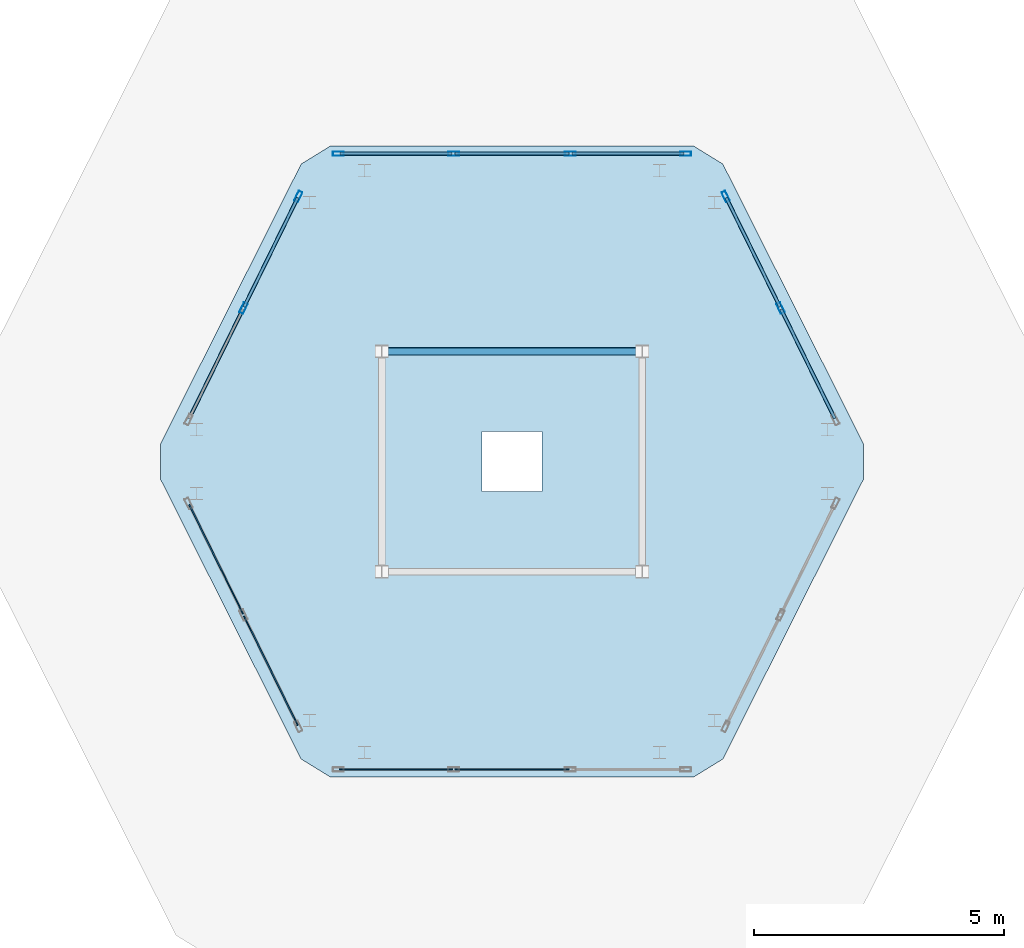
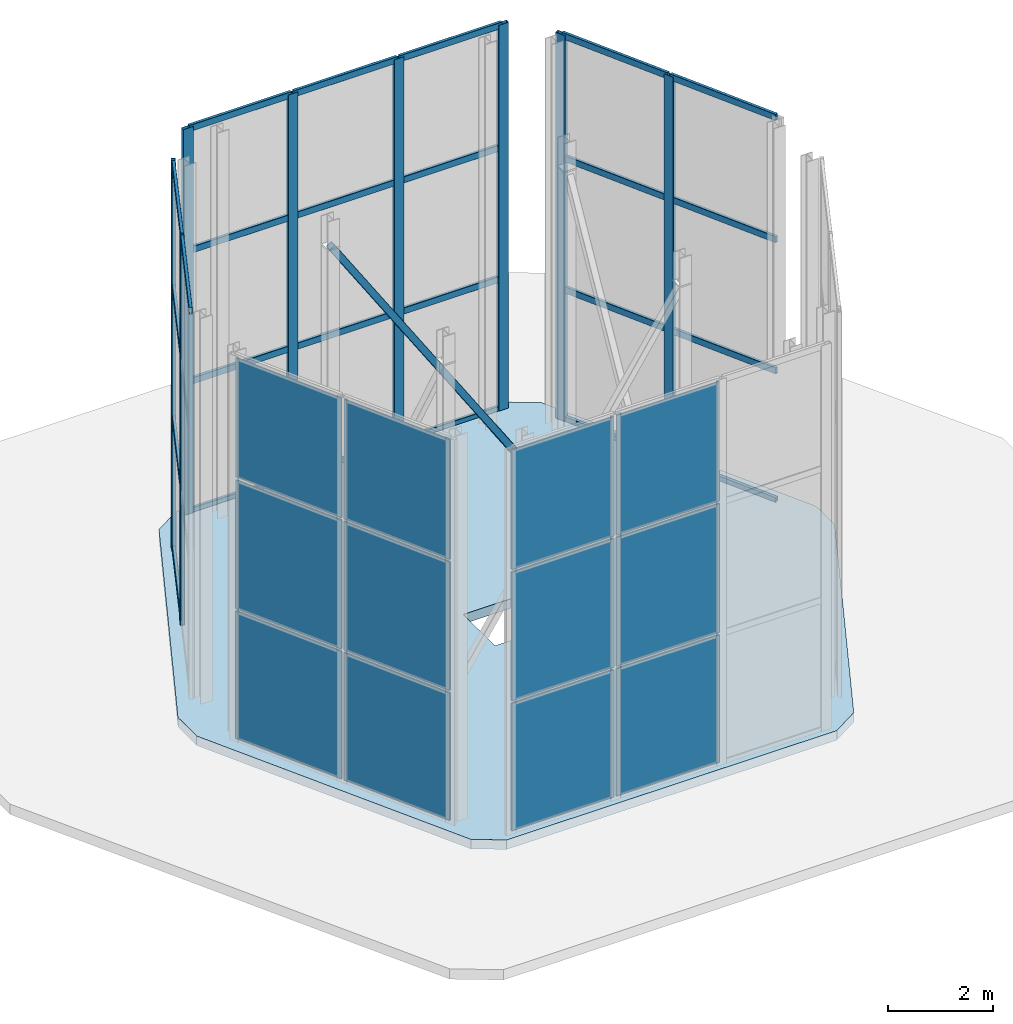
# One storey, part 2 of 3: 34 members, 12 plates, 1 slab, 5 elements without a shape of their own.
"""IFC4 building model written with IfcOpenShell, lengths in metres."""

from ifc_helpers import new_model, si_unit, direction, frame, origin, origin_2d, place, context, subcontext, project, spatial, polyline, rectangle, hollow_rectangle, outline, extrude, material, layer, layer_set, material_profile, profile_set, type_object, element, aggregate, save


model = new_model("IFC4")

# Units and contexts
model_context = context("Model", 3, precision=1e-05, world=origin(), true_north=direction((0.0, 1.0)))
body_context = subcontext(model_context, "Body", "Model", "MODEL_VIEW")
ifc_project = project(units=[si_unit("LENGTHUNIT", "METRE"), si_unit("AREAUNIT", "SQUARE_METRE"), si_unit("VOLUMEUNIT", "CUBIC_METRE"), si_unit("PLANEANGLEUNIT", "RADIAN"), si_unit("MASSUNIT", "GRAM", prefix="KILO")], contexts=[model_context])

# Site, building, storey
site_placement = place(None, origin())
site = spatial("IfcSite", under=ifc_project, at=site_placement, CompositionType="ELEMENT")
building_placement = place(site_placement, origin())
building = spatial("IfcBuilding", under=site, at=building_placement, Name="Cinnabar Lancet Tower", CompositionType="ELEMENT")
storey_placement = place(building_placement, frame((0.0, 0.0, 333.02490234375)))
storey = spatial("IfcBuildingStorey", under=building, at=storey_placement, Name="L83", CompositionType="ELEMENT", Elevation=333.02490234375)

# Curtain wall, members
ifc_material_1 = material(Name="Thermally broken bronze-anodized aluminium and low-E glass", Category="aluminium")
ifc_layer_1 = layer(ifc_material_1, 0.179931640625)
ifc_layer_set_1 = layer_set([ifc_layer_1], Name="Thermally broken bronze-anodized aluminium and low-E glass")
curtain_wall_type = type_object("IfcCurtainWallType", Name="ENV-CW-SYS-06", PredefinedType="NOTDEFINED", material=ifc_layer_set_1)
curtain_wall_1_placement = place(storey_placement, origin())
curtain_wall_1 = element("IfcCurtainWall", 1, at=curtain_wall_1_placement, inside=storey, type_object=curtain_wall_type, Name="L83 Faceted Lancet Crown Curtain Wall 7", PredefinedType="NOTDEFINED")
ifc_material_2 = material(Name="Anodized architectural aluminium 6063-T6", Category="aluminium")
ifc_material_profile_1 = material_profile(ifc_material_2, hollow_rectangle(XDim=0.0849609375, YDim=0.219970703125, WallThickness=0.0048828125, InnerFilletRadius=0.00244140625, OuterFilletRadius=0.007568359375, at=origin_2d()), Name="CW-MUL 220x85x5")
ifc_profile_set_1 = profile_set([ifc_material_profile_1], Name="Anodized architectural aluminium 6063-T6")
member_type_1 = type_object("IfcMemberType", Name="ENV-CW-MUL-220", PredefinedType="MULLION", material=ifc_profile_set_1)
member_1_placement = place(storey_placement, frame((37.763916015625, 28.864990234375, 0.0), z_axis=(0.0, 0.0, 1.0), x_axis=(-0.897510109675, -0.440993880945, 0.0)))
member_1 = element("IfcMember", 2, at=member_1_placement, type_object=member_type_1, Name="CW-06 mullion 2", PredefinedType="MULLION", context=body_context, shape_type="SweptSolid", body=[
    extrude(hollow_rectangle(XDim=0.0849609375, YDim=0.219970703125, WallThickness=0.0048828125, InnerFilletRadius=0.00244140625, OuterFilletRadius=0.007568359375, at=origin_2d()), origin(), (0.0, 0.0, 1.0), 8.97509765625),
])
member_2_placement = place(storey_placement, frame((36.669189453125, 31.093017578125, 0.0), z_axis=(0.0, 0.0, 1.0), x_axis=(-0.897510109675, -0.440993880945, 0.0)))
member_2 = element("IfcMember", 3, at=member_2_placement, type_object=member_type_1, Name="CW-06 mullion 3", PredefinedType="MULLION", context=body_context, shape_type="SweptSolid", body=[
    extrude(hollow_rectangle(XDim=0.0849609375, YDim=0.219970703125, WallThickness=0.0048828125, InnerFilletRadius=0.00244140625, OuterFilletRadius=0.007568359375, at=origin_2d()), origin(), (0.0, 0.0, 1.0), 8.97509765625),
])

curtain_wall_2_placement = place(storey_placement, origin())
curtain_wall_2 = element("IfcCurtainWall", 4, at=curtain_wall_2_placement, inside=storey, type_object=curtain_wall_type, Name="L83 Faceted Lancet Crown Curtain Wall 10", PredefinedType="NOTDEFINED")
member_3_placement = place(storey_placement, frame((35.866943359375, 31.949951171875, 0.0), z_axis=(0.0, 0.0, 1.0), x_axis=(0.0, -1.0, 0.0)))
member_3 = element("IfcMember", 5, at=member_3_placement, type_object=member_type_1, Name="CW-06 mullion 1", PredefinedType="MULLION", context=body_context, shape_type="SweptSolid", body=[
    extrude(hollow_rectangle(XDim=0.0849609375, YDim=0.219970703125, WallThickness=0.0048828125, InnerFilletRadius=0.00244140625, OuterFilletRadius=0.007568359375, at=origin_2d()), origin(), (0.0, 0.0, 1.0), 8.97509765625),
])
member_4_placement = place(storey_placement, frame((33.565673828125, 31.949951171875, 0.0), z_axis=(0.0, 0.0, 1.0), x_axis=(0.0, -1.0, 0.0)))
member_4 = element("IfcMember", 6, at=member_4_placement, type_object=member_type_1, Name="CW-06 mullion 2", PredefinedType="MULLION", context=body_context, shape_type="SweptSolid", body=[
    extrude(hollow_rectangle(XDim=0.0849609375, YDim=0.219970703125, WallThickness=0.0048828125, InnerFilletRadius=0.00244140625, OuterFilletRadius=0.007568359375, at=origin_2d()), origin(), (0.0, 0.0, 1.0), 8.97509765625),
])
member_5_placement = place(storey_placement, frame((31.234375, 31.949951171875, 0.0), z_axis=(0.0, 0.0, 1.0), x_axis=(0.0, -1.0, 0.0)))
member_5 = element("IfcMember", 7, at=member_5_placement, type_object=member_type_1, Name="CW-06 mullion 3", PredefinedType="MULLION", context=body_context, shape_type="SweptSolid", body=[
    extrude(hollow_rectangle(XDim=0.0849609375, YDim=0.219970703125, WallThickness=0.0048828125, InnerFilletRadius=0.00244140625, OuterFilletRadius=0.007568359375, at=origin_2d()), origin(), (0.0, 0.0, 1.0), 8.97509765625),
])
member_6_placement = place(storey_placement, frame((28.93310546875, 31.949951171875, 0.0), z_axis=(0.0, 0.0, 1.0), x_axis=(0.0, -1.0, 0.0)))
member_6 = element("IfcMember", 8, at=member_6_placement, type_object=member_type_1, Name="CW-06 mullion 4", PredefinedType="MULLION", context=body_context, shape_type="SweptSolid", body=[
    extrude(hollow_rectangle(XDim=0.0849609375, YDim=0.219970703125, WallThickness=0.0048828125, InnerFilletRadius=0.00244140625, OuterFilletRadius=0.007568359375, at=origin_2d()), origin(), (0.0, 0.0, 1.0), 8.97509765625),
])

curtain_wall_3_placement = place(storey_placement, origin())
curtain_wall_3 = element("IfcCurtainWall", 9, at=curtain_wall_3_placement, inside=storey, type_object=curtain_wall_type, Name="L83 Faceted Lancet Crown Curtain Wall 13", PredefinedType="NOTDEFINED")
member_7_placement = place(storey_placement, frame((28.130859375, 31.093017578125, 0.0), z_axis=(0.0, 0.0, 1.0), x_axis=(0.897510109675, -0.440993880945, 0.0)))
member_7 = element("IfcMember", 10, at=member_7_placement, type_object=member_type_1, Name="CW-06 mullion 1", PredefinedType="MULLION", context=body_context, shape_type="SweptSolid", body=[
    extrude(hollow_rectangle(XDim=0.0849609375, YDim=0.219970703125, WallThickness=0.0048828125, InnerFilletRadius=0.00244140625, OuterFilletRadius=0.007568359375, at=origin_2d()), origin(), (0.0, 0.0, 1.0), 8.97509765625),
])
member_8_placement = place(storey_placement, frame((27.035888671875, 28.864990234375, 0.0), z_axis=(0.0, 0.0, 1.0), x_axis=(0.897510109675, -0.440993880945, 0.0)))
member_8 = element("IfcMember", 11, at=member_8_placement, type_object=member_type_1, Name="CW-06 mullion 2", PredefinedType="MULLION", context=body_context, shape_type="SweptSolid", body=[
    extrude(hollow_rectangle(XDim=0.0849609375, YDim=0.219970703125, WallThickness=0.0048828125, InnerFilletRadius=0.00244140625, OuterFilletRadius=0.007568359375, at=origin_2d()), origin(), (0.0, 0.0, 1.0), 8.97509765625),
])

# Member
ifc_material_3 = material(Name="Anodized architectural aluminium 6063-T6", Category="aluminium")
ifc_material_profile_2 = material_profile(ifc_material_3, hollow_rectangle(XDim=0.06494140625, YDim=0.14990234375, WallThickness=0.00390625, InnerFilletRadius=0.001953125, OuterFilletRadius=0.006103515625, at=origin_2d()), Name="CW-TRN 150x65x4")
ifc_profile_set_2 = profile_set([ifc_material_profile_2], Name="Anodized architectural aluminium 6063-T6")
member_type_2 = type_object("IfcMemberType", Name="ENV-CW-TRN-160", PredefinedType="USERDEFINED", material=ifc_profile_set_2)
member_9_placement = place(storey_placement, frame((38.845458984375, 26.663818359375, 0.030029296875), z_axis=(-0.440913850205, 0.897549428554, 0.0), x_axis=(-0.897549428554, -0.440913850205, 0.0)))
member_9 = element("IfcMember", 12, at=member_9_placement, type_object=member_type_2, Name="CW-06 transom 1.1", ObjectType="TRANSOM", PredefinedType="USERDEFINED", context=body_context, shape_type="SweptSolid", body=[
    extrude(hollow_rectangle(XDim=0.06494140625, YDim=0.14990234375, WallThickness=0.00390625, InnerFilletRadius=0.001953125, OuterFilletRadius=0.006103515625, at=origin_2d()), origin(), (0.0, 0.0, 1.0), 2.422607421875),
])

member_10_placement = place(storey_placement, frame((38.845458984375, 26.663818359375, 3.052001953125), z_axis=(-0.440913850205, 0.897549428554, 0.0), x_axis=(-0.897549428554, -0.440913850205, 0.0)))
member_10 = element("IfcMember", 13, at=member_10_placement, type_object=member_type_2, Name="CW-06 transom 1.2", ObjectType="TRANSOM", PredefinedType="USERDEFINED", context=body_context, shape_type="SweptSolid", body=[
    extrude(hollow_rectangle(XDim=0.06494140625, YDim=0.14990234375, WallThickness=0.00390625, InnerFilletRadius=0.001953125, OuterFilletRadius=0.006103515625, at=origin_2d()), origin(), (0.0, 0.0, 1.0), 2.422607421875),
])

member_11_placement = place(storey_placement, frame((38.845458984375, 26.663818359375, 6.10302734375), z_axis=(-0.440913850205, 0.897549428554, 0.0), x_axis=(-0.897549428554, -0.440913850205, 0.0)))
member_11 = element("IfcMember", 14, at=member_11_placement, type_object=member_type_2, Name="CW-06 transom 1.3", ObjectType="TRANSOM", PredefinedType="USERDEFINED", context=body_context, shape_type="SweptSolid", body=[
    extrude(hollow_rectangle(XDim=0.06494140625, YDim=0.14990234375, WallThickness=0.00390625, InnerFilletRadius=0.001953125, OuterFilletRadius=0.006103515625, at=origin_2d()), origin(), (0.0, 0.0, 1.0), 2.422607421875),
])

member_12_placement = place(storey_placement, frame((38.845458984375, 26.663818359375, 8.945068359375), z_axis=(-0.440913850205, 0.897549428554, 0.0), x_axis=(-0.897549428554, -0.440913850205, 0.0)))
member_12 = element("IfcMember", 15, at=member_12_placement, type_object=member_type_2, Name="CW-06 transom 1.4", ObjectType="TRANSOM", PredefinedType="USERDEFINED", context=body_context, shape_type="SweptSolid", body=[
    extrude(hollow_rectangle(XDim=0.06494140625, YDim=0.14990234375, WallThickness=0.00390625, InnerFilletRadius=0.001953125, OuterFilletRadius=0.006103515625, at=origin_2d()), origin(), (0.0, 0.0, 1.0), 2.422607421875),
])

member_13_placement = place(storey_placement, frame((37.750732421875, 28.891845703125, 0.030029296875), z_axis=(-0.440995032904, 0.897509543656, 0.0), x_axis=(-0.897509543656, -0.440995032904, 0.0)))
member_13 = element("IfcMember", 16, at=member_13_placement, type_object=member_type_2, Name="CW-06 transom 2.1", ObjectType="TRANSOM", PredefinedType="USERDEFINED", context=body_context, shape_type="SweptSolid", body=[
    extrude(hollow_rectangle(XDim=0.06494140625, YDim=0.14990234375, WallThickness=0.00390625, InnerFilletRadius=0.001953125, OuterFilletRadius=0.006103515625, at=origin_2d()), origin(), (0.0, 0.0, 1.0), 2.422607421875),
])

member_14_placement = place(storey_placement, frame((37.750732421875, 28.891845703125, 3.052001953125), z_axis=(-0.440995032904, 0.897509543656, 0.0), x_axis=(-0.897509543656, -0.440995032904, 0.0)))
member_14 = element("IfcMember", 17, at=member_14_placement, type_object=member_type_2, Name="CW-06 transom 2.2", ObjectType="TRANSOM", PredefinedType="USERDEFINED", context=body_context, shape_type="SweptSolid", body=[
    extrude(hollow_rectangle(XDim=0.06494140625, YDim=0.14990234375, WallThickness=0.00390625, InnerFilletRadius=0.001953125, OuterFilletRadius=0.006103515625, at=origin_2d()), origin(), (0.0, 0.0, 1.0), 2.422607421875),
])

member_15_placement = place(storey_placement, frame((37.750732421875, 28.891845703125, 6.10302734375), z_axis=(-0.440995032904, 0.897509543656, 0.0), x_axis=(-0.897509543656, -0.440995032904, 0.0)))
member_15 = element("IfcMember", 18, at=member_15_placement, type_object=member_type_2, Name="CW-06 transom 2.3", ObjectType="TRANSOM", PredefinedType="USERDEFINED", context=body_context, shape_type="SweptSolid", body=[
    extrude(hollow_rectangle(XDim=0.06494140625, YDim=0.14990234375, WallThickness=0.00390625, InnerFilletRadius=0.001953125, OuterFilletRadius=0.006103515625, at=origin_2d()), origin(), (0.0, 0.0, 1.0), 2.422607421875),
])

member_16_placement = place(storey_placement, frame((37.750732421875, 28.891845703125, 8.945068359375), z_axis=(-0.440995032904, 0.897509543656, 0.0), x_axis=(-0.897509543656, -0.440995032904, 0.0)))
member_16 = element("IfcMember", 19, at=member_16_placement, type_object=member_type_2, Name="CW-06 transom 2.4", ObjectType="TRANSOM", PredefinedType="USERDEFINED", context=body_context, shape_type="SweptSolid", body=[
    extrude(hollow_rectangle(XDim=0.06494140625, YDim=0.14990234375, WallThickness=0.00390625, InnerFilletRadius=0.001953125, OuterFilletRadius=0.006103515625, at=origin_2d()), origin(), (0.0, 0.0, 1.0), 2.422607421875),
])

aggregate(curtain_wall_1, [member_1, member_2, member_9, member_10, member_11, member_12, member_13, member_14, member_15, member_16])

member_17_placement = place(storey_placement, frame((35.8369140625, 31.949951171875, 0.030029296875), z_axis=(-1.0, 0.0, 0.0), x_axis=(0.0, -1.0, 0.0)))
member_17 = element("IfcMember", 20, at=member_17_placement, type_object=member_type_2, Name="CW-06 transom 1.1", ObjectType="TRANSOM", PredefinedType="USERDEFINED", context=body_context, shape_type="SweptSolid", body=[
    extrude(hollow_rectangle(XDim=0.06494140625, YDim=0.14990234375, WallThickness=0.00390625, InnerFilletRadius=0.001953125, OuterFilletRadius=0.006103515625, at=origin_2d()), origin(), (0.0, 0.0, 1.0), 2.2412109375),
])

member_18_placement = place(storey_placement, frame((35.8369140625, 31.949951171875, 3.052001953125), z_axis=(-1.0, 0.0, 0.0), x_axis=(0.0, -1.0, 0.0)))
member_18 = element("IfcMember", 21, at=member_18_placement, type_object=member_type_2, Name="CW-06 transom 1.2", ObjectType="TRANSOM", PredefinedType="USERDEFINED", context=body_context, shape_type="SweptSolid", body=[
    extrude(hollow_rectangle(XDim=0.06494140625, YDim=0.14990234375, WallThickness=0.00390625, InnerFilletRadius=0.001953125, OuterFilletRadius=0.006103515625, at=origin_2d()), origin(), (0.0, 0.0, 1.0), 2.2412109375),
])

member_19_placement = place(storey_placement, frame((35.8369140625, 31.949951171875, 6.10302734375), z_axis=(-1.0, 0.0, 0.0), x_axis=(0.0, -1.0, 0.0)))
member_19 = element("IfcMember", 22, at=member_19_placement, type_object=member_type_2, Name="CW-06 transom 1.3", ObjectType="TRANSOM", PredefinedType="USERDEFINED", context=body_context, shape_type="SweptSolid", body=[
    extrude(hollow_rectangle(XDim=0.06494140625, YDim=0.14990234375, WallThickness=0.00390625, InnerFilletRadius=0.001953125, OuterFilletRadius=0.006103515625, at=origin_2d()), origin(), (0.0, 0.0, 1.0), 2.2412109375),
])

member_20_placement = place(storey_placement, frame((35.8369140625, 31.949951171875, 8.945068359375), z_axis=(-1.0, 0.0, 0.0), x_axis=(0.0, -1.0, 0.0)))
member_20 = element("IfcMember", 23, at=member_20_placement, type_object=member_type_2, Name="CW-06 transom 1.4", ObjectType="TRANSOM", PredefinedType="USERDEFINED", context=body_context, shape_type="SweptSolid", body=[
    extrude(hollow_rectangle(XDim=0.06494140625, YDim=0.14990234375, WallThickness=0.00390625, InnerFilletRadius=0.001953125, OuterFilletRadius=0.006103515625, at=origin_2d()), origin(), (0.0, 0.0, 1.0), 2.2412109375),
])

member_21_placement = place(storey_placement, frame((33.53564453125, 31.949951171875, 0.030029296875), z_axis=(-1.0, 0.0, 0.0), x_axis=(0.0, -1.0, 0.0)))
member_21 = element("IfcMember", 24, at=member_21_placement, type_object=member_type_2, Name="CW-06 transom 2.1", ObjectType="TRANSOM", PredefinedType="USERDEFINED", context=body_context, shape_type="SweptSolid", body=[
    extrude(hollow_rectangle(XDim=0.06494140625, YDim=0.14990234375, WallThickness=0.00390625, InnerFilletRadius=0.001953125, OuterFilletRadius=0.006103515625, at=origin_2d()), origin(), (0.0, 0.0, 1.0), 2.271240234375),
])

member_22_placement = place(storey_placement, frame((33.53564453125, 31.949951171875, 3.052001953125), z_axis=(-1.0, 0.0, 0.0), x_axis=(0.0, -1.0, 0.0)))
member_22 = element("IfcMember", 25, at=member_22_placement, type_object=member_type_2, Name="CW-06 transom 2.2", ObjectType="TRANSOM", PredefinedType="USERDEFINED", context=body_context, shape_type="SweptSolid", body=[
    extrude(hollow_rectangle(XDim=0.06494140625, YDim=0.14990234375, WallThickness=0.00390625, InnerFilletRadius=0.001953125, OuterFilletRadius=0.006103515625, at=origin_2d()), origin(), (0.0, 0.0, 1.0), 2.271240234375),
])

member_23_placement = place(storey_placement, frame((33.53564453125, 31.949951171875, 6.10302734375), z_axis=(-1.0, 0.0, 0.0), x_axis=(0.0, -1.0, 0.0)))
member_23 = element("IfcMember", 26, at=member_23_placement, type_object=member_type_2, Name="CW-06 transom 2.3", ObjectType="TRANSOM", PredefinedType="USERDEFINED", context=body_context, shape_type="SweptSolid", body=[
    extrude(hollow_rectangle(XDim=0.06494140625, YDim=0.14990234375, WallThickness=0.00390625, InnerFilletRadius=0.001953125, OuterFilletRadius=0.006103515625, at=origin_2d()), origin(), (0.0, 0.0, 1.0), 2.271240234375),
])

member_24_placement = place(storey_placement, frame((33.53564453125, 31.949951171875, 8.945068359375), z_axis=(-1.0, 0.0, 0.0), x_axis=(0.0, -1.0, 0.0)))
member_24 = element("IfcMember", 27, at=member_24_placement, type_object=member_type_2, Name="CW-06 transom 2.4", ObjectType="TRANSOM", PredefinedType="USERDEFINED", context=body_context, shape_type="SweptSolid", body=[
    extrude(hollow_rectangle(XDim=0.06494140625, YDim=0.14990234375, WallThickness=0.00390625, InnerFilletRadius=0.001953125, OuterFilletRadius=0.006103515625, at=origin_2d()), origin(), (0.0, 0.0, 1.0), 2.271240234375),
])

member_25_placement = place(storey_placement, frame((31.204345703125, 31.949951171875, 0.030029296875), z_axis=(-1.0, 0.0, 0.0), x_axis=(0.0, -1.0, 0.0)))
member_25 = element("IfcMember", 28, at=member_25_placement, type_object=member_type_2, Name="CW-06 transom 3.1", ObjectType="TRANSOM", PredefinedType="USERDEFINED", context=body_context, shape_type="SweptSolid", body=[
    extrude(hollow_rectangle(XDim=0.06494140625, YDim=0.14990234375, WallThickness=0.00390625, InnerFilletRadius=0.001953125, OuterFilletRadius=0.006103515625, at=origin_2d()), origin(), (0.0, 0.0, 1.0), 2.241455078125),
])

member_26_placement = place(storey_placement, frame((31.204345703125, 31.949951171875, 3.052001953125), z_axis=(-1.0, 0.0, 0.0), x_axis=(0.0, -1.0, 0.0)))
member_26 = element("IfcMember", 29, at=member_26_placement, type_object=member_type_2, Name="CW-06 transom 3.2", ObjectType="TRANSOM", PredefinedType="USERDEFINED", context=body_context, shape_type="SweptSolid", body=[
    extrude(hollow_rectangle(XDim=0.06494140625, YDim=0.14990234375, WallThickness=0.00390625, InnerFilletRadius=0.001953125, OuterFilletRadius=0.006103515625, at=origin_2d()), origin(), (0.0, 0.0, 1.0), 2.241455078125),
])

member_27_placement = place(storey_placement, frame((31.204345703125, 31.949951171875, 6.10302734375), z_axis=(-1.0, 0.0, 0.0), x_axis=(0.0, -1.0, 0.0)))
member_27 = element("IfcMember", 30, at=member_27_placement, type_object=member_type_2, Name="CW-06 transom 3.3", ObjectType="TRANSOM", PredefinedType="USERDEFINED", context=body_context, shape_type="SweptSolid", body=[
    extrude(hollow_rectangle(XDim=0.06494140625, YDim=0.14990234375, WallThickness=0.00390625, InnerFilletRadius=0.001953125, OuterFilletRadius=0.006103515625, at=origin_2d()), origin(), (0.0, 0.0, 1.0), 2.241455078125),
])

member_28_placement = place(storey_placement, frame((31.204345703125, 31.949951171875, 8.945068359375), z_axis=(-1.0, 0.0, 0.0), x_axis=(0.0, -1.0, 0.0)))
member_28 = element("IfcMember", 31, at=member_28_placement, type_object=member_type_2, Name="CW-06 transom 3.4", ObjectType="TRANSOM", PredefinedType="USERDEFINED", context=body_context, shape_type="SweptSolid", body=[
    extrude(hollow_rectangle(XDim=0.06494140625, YDim=0.14990234375, WallThickness=0.00390625, InnerFilletRadius=0.001953125, OuterFilletRadius=0.006103515625, at=origin_2d()), origin(), (0.0, 0.0, 1.0), 2.241455078125),
])

aggregate(curtain_wall_2, [member_3, member_4, member_5, member_6, member_17, member_18, member_19, member_20, member_21, member_22, member_23, member_24, member_25, member_26, member_27, member_28])

member_29_placement = place(storey_placement, frame((28.117431640625, 31.066162109375, 0.030029296875), z_axis=(-0.440913850205, -0.897549428554, 0.0), x_axis=(0.897549428554, -0.440913850205, 0.0)))
member_29 = element("IfcMember", 32, at=member_29_placement, type_object=member_type_2, Name="CW-06 transom 1.1", ObjectType="TRANSOM", PredefinedType="USERDEFINED", context=body_context, shape_type="SweptSolid", body=[
    extrude(hollow_rectangle(XDim=0.06494140625, YDim=0.14990234375, WallThickness=0.00390625, InnerFilletRadius=0.001953125, OuterFilletRadius=0.006103515625, at=origin_2d()), origin(), (0.0, 0.0, 1.0), 2.422607421875),
])

member_30_placement = place(storey_placement, frame((28.117431640625, 31.066162109375, 3.052001953125), z_axis=(-0.440913850205, -0.897549428554, 0.0), x_axis=(0.897549428554, -0.440913850205, 0.0)))
member_30 = element("IfcMember", 33, at=member_30_placement, type_object=member_type_2, Name="CW-06 transom 1.2", ObjectType="TRANSOM", PredefinedType="USERDEFINED", context=body_context, shape_type="SweptSolid", body=[
    extrude(hollow_rectangle(XDim=0.06494140625, YDim=0.14990234375, WallThickness=0.00390625, InnerFilletRadius=0.001953125, OuterFilletRadius=0.006103515625, at=origin_2d()), origin(), (0.0, 0.0, 1.0), 2.422607421875),
])

member_31_placement = place(storey_placement, frame((28.117431640625, 31.066162109375, 6.10302734375), z_axis=(-0.440913850205, -0.897549428554, 0.0), x_axis=(0.897549428554, -0.440913850205, 0.0)))
member_31 = element("IfcMember", 34, at=member_31_placement, type_object=member_type_2, Name="CW-06 transom 1.3", ObjectType="TRANSOM", PredefinedType="USERDEFINED", context=body_context, shape_type="SweptSolid", body=[
    extrude(hollow_rectangle(XDim=0.06494140625, YDim=0.14990234375, WallThickness=0.00390625, InnerFilletRadius=0.001953125, OuterFilletRadius=0.006103515625, at=origin_2d()), origin(), (0.0, 0.0, 1.0), 2.422607421875),
])

member_32_placement = place(storey_placement, frame((28.117431640625, 31.066162109375, 8.945068359375), z_axis=(-0.440913850205, -0.897549428554, 0.0), x_axis=(0.897549428554, -0.440913850205, 0.0)))
member_32 = element("IfcMember", 35, at=member_32_placement, type_object=member_type_2, Name="CW-06 transom 1.4", ObjectType="TRANSOM", PredefinedType="USERDEFINED", context=body_context, shape_type="SweptSolid", body=[
    extrude(hollow_rectangle(XDim=0.06494140625, YDim=0.14990234375, WallThickness=0.00390625, InnerFilletRadius=0.001953125, OuterFilletRadius=0.006103515625, at=origin_2d()), origin(), (0.0, 0.0, 1.0), 2.422607421875),
])

member_33_placement = place(storey_placement, frame((27.022705078125, 28.838134765625, 8.945068359375), z_axis=(-0.440995032904, -0.897509543656, 0.0), x_axis=(0.897509543656, -0.440995032904, 0.0)))
member_33 = element("IfcMember", 36, at=member_33_placement, type_object=member_type_2, Name="CW-06 transom 2.4", ObjectType="TRANSOM", PredefinedType="USERDEFINED", context=body_context, shape_type="SweptSolid", body=[
    extrude(hollow_rectangle(XDim=0.06494140625, YDim=0.14990234375, WallThickness=0.00390625, InnerFilletRadius=0.001953125, OuterFilletRadius=0.006103515625, at=origin_2d()), origin(), (0.0, 0.0, 1.0), 2.422607421875),
])

aggregate(curtain_wall_3, [member_7, member_8, member_29, member_30, member_31, member_32, member_33])

ifc_material_4 = material(Name="Structural steel S460", Category="steel")
ifc_material_profile_3 = material_profile(ifc_material_4, hollow_rectangle(XDim=0.14990234375, YDim=0.14990234375, WallThickness=0.008056640625, InnerFilletRadius=0.00390625, OuterFilletRadius=0.011962890625, at=origin_2d()), Name="SHS 150x150x8")
ifc_profile_set_3 = profile_set([ifc_material_profile_3], Name="Structural steel S460")
member_type_3 = type_object("IfcMemberType", Name="STR-MEM-CRN-SHS150", PredefinedType="BRACE", material=ifc_profile_set_3)
member_34_placement = place(storey_placement, frame((35.0, 28.0, 0.35009765625), z_axis=(-0.547142770571, 0.0, 0.837039299323), x_axis=(0.0, -1.0, 0.0)))
element("IfcMember", 37, at=member_34_placement, inside=storey, type_object=member_type_3, Name="L83 Crown Lancet Core Brace 3", PredefinedType="BRACE", context=body_context, shape_type="SweptSolid", body=[
    extrude(hollow_rectangle(XDim=0.14990234375, YDim=0.14990234375, WallThickness=0.008056640625, InnerFilletRadius=0.00390625, OuterFilletRadius=0.011962890625, at=origin_2d()), origin(), (0.0, 0.0, 1.0), 9.50390625),
])

# Curtain wall, plates
curtain_wall_4_placement = place(storey_placement, origin())
curtain_wall_4 = element("IfcCurtainWall", 38, at=curtain_wall_4_placement, inside=storey, type_object=curtain_wall_type, Name="L83 Faceted Lancet Crown Curtain Wall 2", PredefinedType="NOTDEFINED")
ifc_material_5 = material(Name="Acoustic solar-control low-E laminated glass unit", Category="glass")
ifc_layer_2 = layer(ifc_material_5, 0.035888671875)
ifc_layer_set_2 = layer_set([ifc_layer_2], Name="Acoustic solar-control low-E laminated glass unit")
plate_type = type_object("IfcPlateType", Name="ENV-CW-PNL-36", PredefinedType="CURTAIN_PANEL", material=ifc_layer_set_2)
plate_1_placement = place(storey_placement, frame((30.083740234375, 19.64990234375, 0.06005859375), z_axis=(0.0, 0.0, 1.0), x_axis=(1.0, 0.0, 0.0)))
plate_1 = element("IfcPlate", 39, at=plate_1_placement, type_object=plate_type, Name="CW-06 panel 1.1", PredefinedType="CURTAIN_PANEL", context=body_context, shape_type="SweptSolid", body=[
    extrude(rectangle(XDim=2.241455078125, YDim=0.028076171875, at=origin_2d()), origin(), (0.0, 0.0, 1.0), 2.9619140625),
])
plate_2_placement = place(storey_placement, frame((30.083740234375, 19.64990234375, 3.08203125), z_axis=(0.0, 0.0, 1.0), x_axis=(1.0, 0.0, 0.0)))
plate_2 = element("IfcPlate", 40, at=plate_2_placement, type_object=plate_type, Name="CW-06 panel 1.2", PredefinedType="CURTAIN_PANEL", context=body_context, shape_type="SweptSolid", body=[
    extrude(rectangle(XDim=2.241455078125, YDim=0.028076171875, at=origin_2d()), origin(), (0.0, 0.0, 1.0), 2.990966796875),
])
plate_3_placement = place(storey_placement, frame((30.083740234375, 19.64990234375, 6.13330078125), z_axis=(0.0, 0.0, 1.0), x_axis=(1.0, 0.0, 0.0)))
plate_3 = element("IfcPlate", 41, at=plate_3_placement, type_object=plate_type, Name="CW-06 panel 1.3", PredefinedType="CURTAIN_PANEL", context=body_context, shape_type="SweptSolid", body=[
    extrude(rectangle(XDim=2.241455078125, YDim=0.028076171875, at=origin_2d()), origin(), (0.0, 0.0, 1.0), 2.781982421875),
])
plate_4_placement = place(storey_placement, frame((32.39990234375, 19.64990234375, 0.06005859375), z_axis=(0.0, 0.0, 1.0), x_axis=(1.0, 0.0, 0.0)))
plate_4 = element("IfcPlate", 42, at=plate_4_placement, type_object=plate_type, Name="CW-06 panel 2.1", PredefinedType="CURTAIN_PANEL", context=body_context, shape_type="SweptSolid", body=[
    extrude(rectangle(XDim=2.271240234375, YDim=0.028076171875, at=origin_2d()), origin(), (0.0, 0.0, 1.0), 2.9619140625),
])
plate_5_placement = place(storey_placement, frame((32.39990234375, 19.64990234375, 3.08203125), z_axis=(0.0, 0.0, 1.0), x_axis=(1.0, 0.0, 0.0)))
plate_5 = element("IfcPlate", 43, at=plate_5_placement, type_object=plate_type, Name="CW-06 panel 2.2", PredefinedType="CURTAIN_PANEL", context=body_context, shape_type="SweptSolid", body=[
    extrude(rectangle(XDim=2.271240234375, YDim=0.028076171875, at=origin_2d()), origin(), (0.0, 0.0, 1.0), 2.990966796875),
])
plate_6_placement = place(storey_placement, frame((32.39990234375, 19.64990234375, 6.13330078125), z_axis=(0.0, 0.0, 1.0), x_axis=(1.0, 0.0, 0.0)))
plate_6 = element("IfcPlate", 44, at=plate_6_placement, type_object=plate_type, Name="CW-06 panel 2.3", PredefinedType="CURTAIN_PANEL", context=body_context, shape_type="SweptSolid", body=[
    extrude(rectangle(XDim=2.271240234375, YDim=0.028076171875, at=origin_2d()), origin(), (0.0, 0.0, 1.0), 2.781982421875),
])
aggregate(curtain_wall_4, [plate_1, plate_2, plate_3, plate_4, plate_5, plate_6])

curtain_wall_5_placement = place(storey_placement, origin())
curtain_wall_5 = element("IfcCurtainWall", 45, at=curtain_wall_5_placement, inside=storey, type_object=curtain_wall_type, Name="L83 Faceted Lancet Crown Curtain Wall 15", PredefinedType="NOTDEFINED")
plate_7_placement = place(storey_placement, frame((26.488525390625, 23.84912109375, 0.06005859375), z_axis=(0.0, 0.0, 1.0), x_axis=(0.440993880945, -0.897510109675, 0.0)))
plate_7 = element("IfcPlate", 46, at=plate_7_placement, type_object=plate_type, Name="CW-06 panel 1.1", PredefinedType="CURTAIN_PANEL", context=body_context, shape_type="SweptSolid", body=[
    extrude(rectangle(XDim=2.422607421875, YDim=0.028076171875, at=origin_2d()), origin(), (0.0, 0.0, 1.0), 2.9619140625),
])
plate_8_placement = place(storey_placement, frame((26.488525390625, 23.84912109375, 3.08203125), z_axis=(0.0, 0.0, 1.0), x_axis=(0.440993880945, -0.897510109675, 0.0)))
plate_8 = element("IfcPlate", 47, at=plate_8_placement, type_object=plate_type, Name="CW-06 panel 1.2", PredefinedType="CURTAIN_PANEL", context=body_context, shape_type="SweptSolid", body=[
    extrude(rectangle(XDim=2.422607421875, YDim=0.028076171875, at=origin_2d()), origin(), (0.0, 0.0, 1.0), 2.990966796875),
])
plate_9_placement = place(storey_placement, frame((26.488525390625, 23.84912109375, 6.13330078125), z_axis=(0.0, 0.0, 1.0), x_axis=(0.440993880945, -0.897510109675, 0.0)))
plate_9 = element("IfcPlate", 48, at=plate_9_placement, type_object=plate_type, Name="CW-06 panel 1.3", PredefinedType="CURTAIN_PANEL", context=body_context, shape_type="SweptSolid", body=[
    extrude(rectangle(XDim=2.422607421875, YDim=0.028076171875, at=origin_2d()), origin(), (0.0, 0.0, 1.0), 2.781982421875),
])
plate_10_placement = place(storey_placement, frame((27.58349609375, 21.620849609375, 0.06005859375), z_axis=(0.0, 0.0, 1.0), x_axis=(0.440993880945, -0.897510109675, 0.0)))
plate_10 = element("IfcPlate", 49, at=plate_10_placement, type_object=plate_type, Name="CW-06 panel 2.1", PredefinedType="CURTAIN_PANEL", context=body_context, shape_type="SweptSolid", body=[
    extrude(rectangle(XDim=2.422607421875, YDim=0.028076171875, at=origin_2d()), origin(), (0.0, 0.0, 1.0), 2.9619140625),
])
plate_11_placement = place(storey_placement, frame((27.58349609375, 21.620849609375, 3.08203125), z_axis=(0.0, 0.0, 1.0), x_axis=(0.440993880945, -0.897510109675, 0.0)))
plate_11 = element("IfcPlate", 50, at=plate_11_placement, type_object=plate_type, Name="CW-06 panel 2.2", PredefinedType="CURTAIN_PANEL", context=body_context, shape_type="SweptSolid", body=[
    extrude(rectangle(XDim=2.422607421875, YDim=0.028076171875, at=origin_2d()), origin(), (0.0, 0.0, 1.0), 2.990966796875),
])
plate_12_placement = place(storey_placement, frame((27.58349609375, 21.620849609375, 6.13330078125), z_axis=(0.0, 0.0, 1.0), x_axis=(0.440993880945, -0.897510109675, 0.0)))
plate_12 = element("IfcPlate", 51, at=plate_12_placement, type_object=plate_type, Name="CW-06 panel 2.3", PredefinedType="CURTAIN_PANEL", context=body_context, shape_type="SweptSolid", body=[
    extrude(rectangle(XDim=2.422607421875, YDim=0.028076171875, at=origin_2d()), origin(), (0.0, 0.0, 1.0), 2.781982421875),
])
aggregate(curtain_wall_5, [plate_7, plate_8, plate_9, plate_10, plate_11, plate_12])

# Slab
ifc_material_6 = material(Name="Concrete C45/55", Category="concrete")
ifc_layer_3 = layer(ifc_material_6, 0.219970703125)
ifc_layer_set_3 = layer_set([ifc_layer_3], Name="Concrete C45/55")
slab_type = type_object("IfcSlabType", Name="STR-SLB-ROOF-220", PredefinedType="ROOF", material=ifc_layer_set_3)
slab_placement = place(storey_placement, frame((0.0, 0.0, -0.219970703125)))
element("IfcSlab", 52, at=slab_placement, inside=storey, type_object=slab_type, Name="L83 Crown Structural Deck Roof Slab", PredefinedType="ROOF", context=body_context, shape_type="SweptSolid", body=[
    extrude(outline(polyline([(28.18798828125, 19.85693359375), (28.76806640625, 19.5), (36.031982421875, 19.5), (36.612060546875, 19.85693359375), (39.419921875, 25.443115234375), (39.419921875, 26.156982421875), (36.612060546875, 31.742919921875), (36.031982421875, 32.10009765625), (28.76806640625, 32.10009765625), (28.18798828125, 31.742919921875), (25.3798828125, 26.156982421875), (25.3798828125, 25.443115234375), (28.18798828125, 19.85693359375)]), holes=[polyline([(31.800048828125, 25.199951171875), (33.0, 25.199951171875), (33.0, 26.39990234375), (31.800048828125, 26.39990234375), (31.800048828125, 25.199951171875)])]), origin(), (0.0, 0.0, 1.0), 0.219970703125),
])

save(model, "model.ifc")
